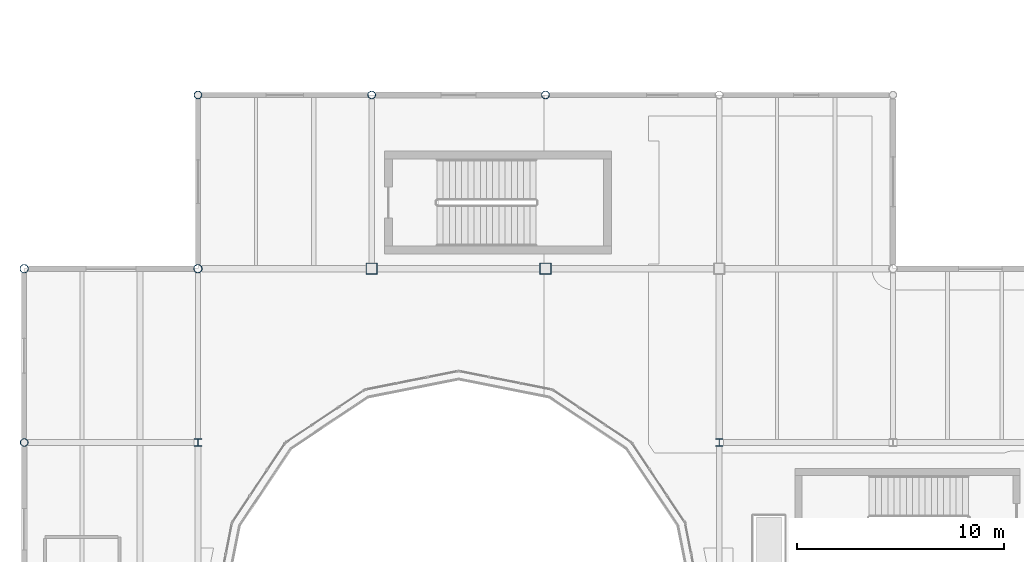
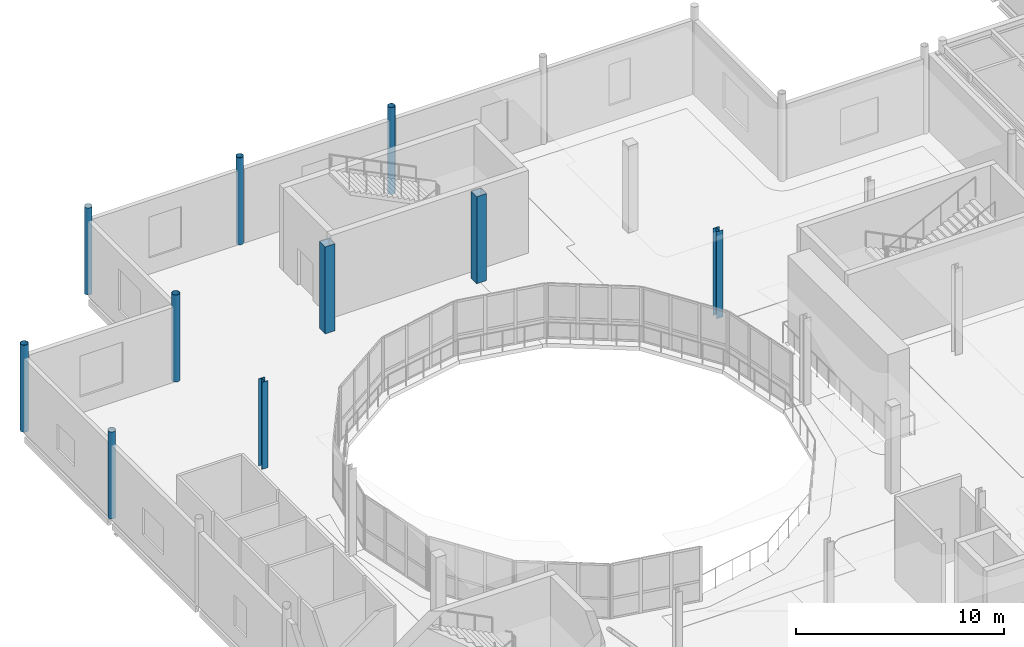
# One storey, part 6 of 103: 10 columns.
"""IFC4 building model written with IfcOpenShell, lengths in metres."""

from ifc_helpers import new_model, si_unit, direction, frame, origin, origin_2d, place, context, subcontext, project, spatial, hollow_rectangle, hollow_circle, i_section, extrude, material, material_profile, profile_set, type_object, element, save


model = new_model("IFC4")

# Units and contexts
model_context = context("Model", 3, precision=1e-05, world=origin(), true_north=direction((0.0, 1.0)))
body_context = subcontext(model_context, "Body", "Model", "MODEL_VIEW")
ifc_project = project(units=[si_unit("LENGTHUNIT", "METRE"), si_unit("AREAUNIT", "SQUARE_METRE"), si_unit("VOLUMEUNIT", "CUBIC_METRE"), si_unit("PLANEANGLEUNIT", "RADIAN"), si_unit("MASSUNIT", "GRAM", prefix="KILO"), si_unit("THERMODYNAMICTEMPERATUREUNIT", "KELVIN")], contexts=[model_context])

# Site, building, storey
site_placement = place(None, origin())
site = spatial("IfcSite", under=ifc_project, at=site_placement, CompositionType="ELEMENT")
building_placement = place(site_placement, origin())
building = spatial("IfcBuilding", under=site, at=building_placement, Name="Lustrewick Department Store", CompositionType="ELEMENT")
storey_placement = place(building_placement, frame((0.0, 0.0, 16.5)))
storey = spatial("IfcBuildingStorey", under=building, at=storey_placement, Name="L04", CompositionType="ELEMENT", Elevation=16.5)

# Columns
ifc_material_1 = material(Name="Structural steel Q355C", Category="steel")
ifc_material_profile_1 = material_profile(ifc_material_1, hollow_rectangle(XDim=0.550048828125, YDim=0.550048828125, WallThickness=0.02197265625, at=origin_2d()), Name="BOX 550x550x22")
ifc_profile_set_1 = profile_set([ifc_material_profile_1], Name="Structural steel Q355C")
column_type_1 = type_object("IfcColumnType", Name="C05", PredefinedType="COLUMN", material=ifc_profile_set_1)
for number, where, z_axis, x_axis, name in (
    (1, (25.199951171875, 84.0, 0.0), (0.0, 0.0, 1.0), (1.0, 0.0, 0.0), "L04 V1 Column C05"),
    (2, (33.60009765625, 84.0, 0.0), (0.0, 0.0, 1.0), (1.0, 0.0, 0.0), "L04 V1 Column C05"),
):
    element("IfcColumn", number, at=place(storey_placement, frame(where, z_axis=z_axis, x_axis=x_axis)), inside=storey, type_object=column_type_1, Name=name, PredefinedType="COLUMN", context=body_context, shape_type="SweptSolid", body=[
        extrude(hollow_rectangle(XDim=0.550048828125, YDim=0.550048828125, WallThickness=0.02197265625, at=origin_2d()), origin(), (0.0, 0.0, 1.0), 5.10009765625),
    ])
ifc_material_2 = material(Name="Structural steel Q355B", Category="steel")
ifc_material_profile_2 = material_profile(ifc_material_2, i_section(OverallWidth=0.35009765625, OverallDepth=0.35009765625, WebThickness=0.011962890625, FlangeThickness=0.01904296875, FilletRadius=0.02001953125, at=origin_2d()), Name="HW 350x350x12x19")
ifc_profile_set_2 = profile_set([ifc_material_profile_2], Name="Structural steel Q355B")
column_type_2 = type_object("IfcColumnType", Name="C13", PredefinedType="COLUMN", material=ifc_profile_set_2)
for number, where, z_axis, x_axis, name in (
    (3, (16.800048828125, 75.60009765625, 0.0), (0.0, 0.0, 1.0), (1.0, 0.0, 0.0), "L04 V1 Column C13"),
    (4, (42.0, 75.60009765625, 0.0), (0.0, 0.0, 1.0), (1.0, 0.0, 0.0), "L04 V1 Column C13"),
):
    element("IfcColumn", number, at=place(storey_placement, frame(where, z_axis=z_axis, x_axis=x_axis)), inside=storey, type_object=column_type_2, Name=name, PredefinedType="COLUMN", context=body_context, shape_type="SweptSolid", body=[
        extrude(i_section(OverallWidth=0.35009765625, OverallDepth=0.35009765625, WebThickness=0.011962890625, FlangeThickness=0.01904296875, FilletRadius=0.02001953125, at=origin_2d()), origin(), (0.0, 0.0, 1.0), 5.10009765625),
    ])
ifc_material_profile_3 = material_profile(ifc_material_1, hollow_circle(Radius=0.202880859375, WallThickness=0.01611328125, at=origin_2d()), Name="CHS 406x16")
ifc_profile_set_3 = profile_set([ifc_material_profile_3], Name="Structural steel Q355C")
column_type_3 = type_object("IfcColumnType", Name="CE03", PredefinedType="COLUMN", material=ifc_profile_set_3)
for number, where, z_axis, x_axis, name in (
    (5, (8.39990234375, 84.0, 0.0), (0.0, 0.0, 1.0), (1.0, 0.0, 0.0), "L04 V1 Column CE03"),
    (6, (16.800048828125, 84.0, 0.0), (0.0, 0.0, 1.0), (1.0, 0.0, 0.0), "L04 V1 Column CE03"),
):
    element("IfcColumn", number, at=place(storey_placement, frame(where, z_axis=z_axis, x_axis=x_axis)), inside=storey, type_object=column_type_3, Name=name, PredefinedType="COLUMN", context=body_context, shape_type="SweptSolid", body=[
        extrude(hollow_circle(Radius=0.202880859375, WallThickness=0.01611328125, at=origin_2d()), origin(), (0.0, 0.0, 1.0), 5.10009765625),
    ])
ifc_material_profile_4 = material_profile(ifc_material_2, hollow_circle(Radius=0.1884765625, WallThickness=0.013916015625, at=origin_2d()), Name="CHS 377x14")
ifc_profile_set_4 = profile_set([ifc_material_profile_4], Name="Structural steel Q355B")
column_type_4 = type_object("IfcColumnType", Name="CE04", PredefinedType="COLUMN", material=ifc_profile_set_4)
for number, where, z_axis, x_axis, name in (
    (7, (8.39990234375, 75.60009765625, 0.0), (0.0, 0.0, 1.0), (1.0, 0.0, 0.0), "L04 V1 Column CE04"),
    (8, (16.800048828125, 92.39990234375, 0.0), (0.0, 0.0, 1.0), (1.0, 0.0, 0.0), "L04 V1 Column CE04"),
    (9, (25.199951171875, 92.39990234375, 0.0), (0.0, 0.0, 1.0), (1.0, 0.0, 0.0), "L04 V1 Column CE04"),
    (10, (33.60009765625, 92.39990234375, 0.0), (0.0, 0.0, 1.0), (1.0, 0.0, 0.0), "L04 V1 Column CE04"),
):
    element("IfcColumn", number, at=place(storey_placement, frame(where, z_axis=z_axis, x_axis=x_axis)), inside=storey, type_object=column_type_4, Name=name, PredefinedType="COLUMN", context=body_context, shape_type="SweptSolid", body=[
        extrude(hollow_circle(Radius=0.1884765625, WallThickness=0.013916015625, at=origin_2d()), origin(), (0.0, 0.0, 1.0), 5.10009765625),
    ])

save(model, "model.ifc")
